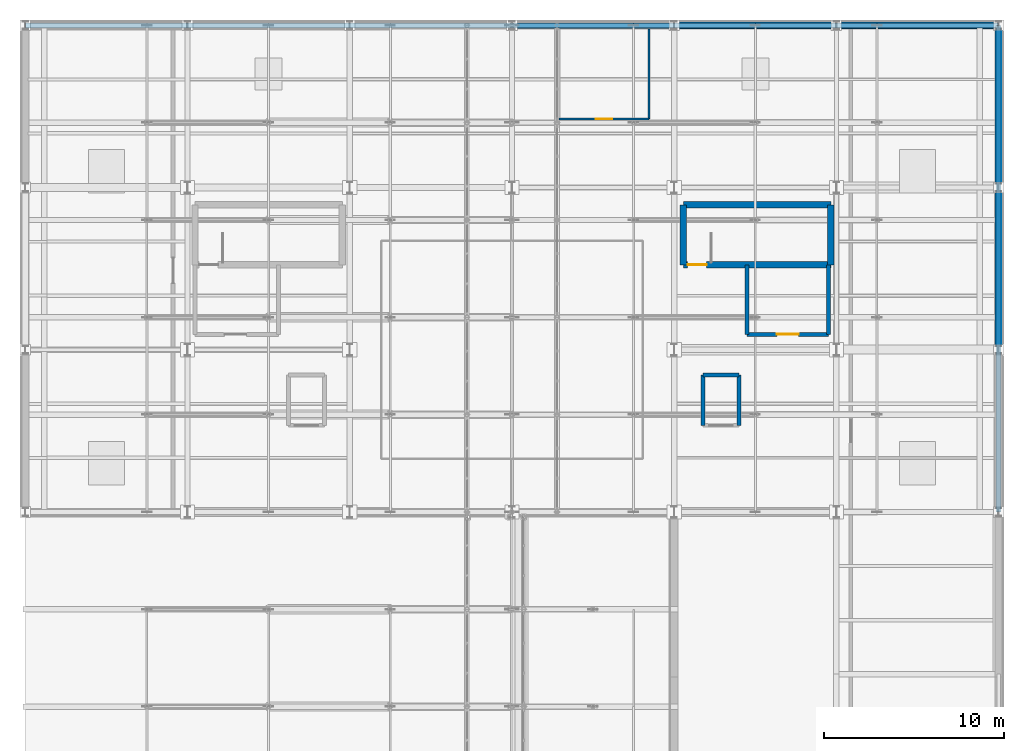
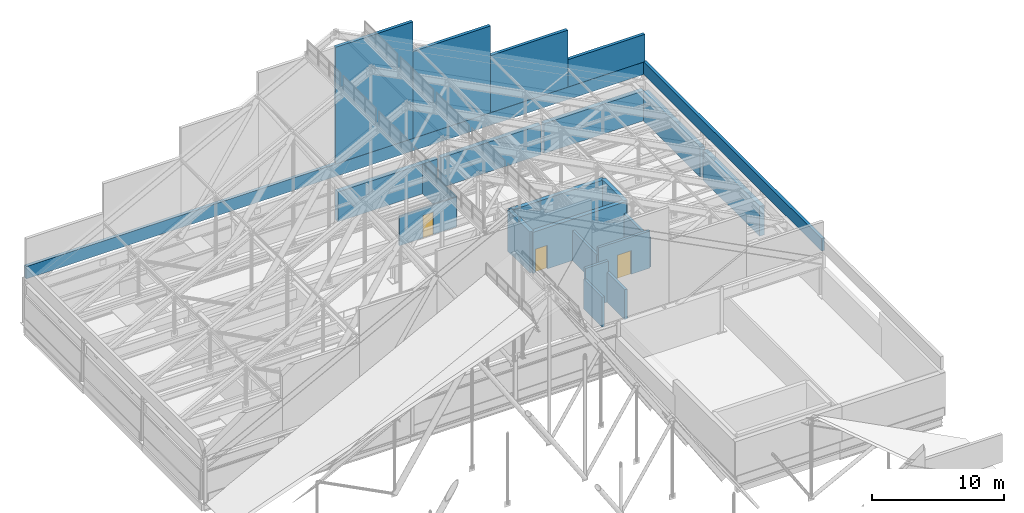
# One storey, part 83 of 84: 23 walls, 3 doors, 3 openings.
"""IFC4 building model written with IfcOpenShell, lengths in metres."""

from ifc_helpers import new_model, si_unit, direction, frame, frame_2d, origin, place, context, subcontext, project, spatial, rectangle, extrude, material, layer, layer_set, type_object, element, fill, save


model = new_model("IFC4")

# Units and contexts
model_context = context("Model", 3, precision=1e-05, world=origin(), true_north=direction((0.0, 1.0)))
body_context = subcontext(model_context, "Body", "Model", "MODEL_VIEW")
ifc_project = project(units=[si_unit("LENGTHUNIT", "METRE"), si_unit("AREAUNIT", "SQUARE_METRE"), si_unit("VOLUMEUNIT", "CUBIC_METRE"), si_unit("PLANEANGLEUNIT", "RADIAN"), si_unit("MASSUNIT", "GRAM", prefix="KILO")], contexts=[model_context])

# Site, building, storey
site_placement = place(None, origin())
site = spatial("IfcSite", under=ifc_project, at=site_placement, CompositionType="ELEMENT")
building_placement = place(site_placement, origin())
building = spatial("IfcBuilding", under=site, at=building_placement, Name="Sundgate Opera House", CompositionType="ELEMENT")
storey_placement = place(building_placement, frame((0.0, 0.0, 30.60009765625)))
storey = spatial("IfcBuildingStorey", under=building, at=storey_placement, Name="L06", CompositionType="ELEMENT", Elevation=30.60009765625)

# Wall, opening, door
ifc_material_1 = material(Name="Concrete C40/50", Category="concrete")
ifc_layer_1 = layer(ifc_material_1, 0.35009765625)
ifc_layer_set_1 = layer_set([ifc_layer_1], Name="Concrete C40/50")
wall_type_1 = type_object("IfcWallType", Name="WL-CORE-350", PredefinedType="SHEAR", material=ifc_layer_set_1)
wall_1_placement = place(storey_placement, frame((63.510009765625, 73.7099609375, 0.0), z_axis=(0.0, 0.0, 1.0), x_axis=(1.0, 0.0, 0.0)))
wall_1 = element("IfcWall", 1, at=wall_1_placement, inside=storey, type_object=wall_type_1, Name="L06 C4 South Shaft Wall", PredefinedType="SHEAR", context=body_context, shape_type="SweptSolid", body=[
    extrude(rectangle(XDim=8.179931640625, YDim=0.35009765625, at=frame_2d((4.08984375, 0.0))), origin(), (0.0, 0.0, 1.0), 3.7998046875),
])
opening_1_placement = place(wall_1_placement, frame((0.239990234375, 0.0, 0.0)))
opening_1 = element("IfcOpeningElement", 2, at=opening_1_placement, cuts=wall_1, Name="Opening DI01", PredefinedType="OPENING", context=body_context, shape_type="SweptSolid", body=[
    extrude(rectangle(XDim=1.050048828125, YDim=2.179931640625, at=frame_2d((0.52490234375, 1.08984375))), frame((0.0, 0.18505859375, 0.0), z_axis=(0.0, -1.0, 0.0), x_axis=(1.0, 0.0, 0.0)), (0.0, 0.0, 1.0), 0.3701171875),
])
ifc_material_2 = material(Name="Acoustic hardwood timber and steel core", Category="steel")
door_type_1 = type_object("IfcDoorType", Name="DR-STAIR-1050x2180", OperationType="NOTDEFINED", PredefinedType="DOOR", material=ifc_material_2)
door_1_placement = place(opening_1_placement, origin())
door_1 = element("IfcDoor", 3, at=door_1_placement, inside=storey, type_object=door_type_1, Name="L06 C4 Stair Door D0070", OperationType="SINGLE_SWING_RIGHT", OverallHeight=2.179931640625, OverallWidth=1.050048828125, PredefinedType="DOOR", context=body_context, shape_type="SweptSolid", body=[
    extrude(rectangle(XDim=1.050048828125, YDim=2.179931640625, at=frame_2d((0.52490234375, 1.08984375))), frame((0.0, 0.02490234375, 0.0), z_axis=(0.0, -1.0, 0.0), x_axis=(1.0, 0.0, 0.0)), (0.0, 0.0, 1.0), 0.050048828125),
])
fill(opening_1, door_1)

# Walls
wall_2_placement = place(storey_placement, frame((63.510009765625, 77.0400390625, 0.0), z_axis=(0.0, 0.0, 1.0), x_axis=(1.0, 0.0, 0.0)))
element("IfcWall", 4, at=wall_2_placement, inside=storey, type_object=wall_type_1, Name="L06 C4 North Shaft Wall", PredefinedType="SHEAR", context=body_context, shape_type="SweptSolid", body=[
    extrude(rectangle(XDim=8.179931640625, YDim=0.35009765625, at=frame_2d((4.08984375, 0.0))), origin(), (0.0, 0.0, 1.0), 3.7998046875),
])
for number, where, z_axis, x_axis, name in (
    (5, (63.510009765625, 73.7099609375, 0.0), (0.0, 0.0, 1.0), (0.0, 1.0, 0.0), "L06 C4 West Shaft Wall"),
    (6, (71.68994140625, 73.7099609375, 0.0), (0.0, 0.0, 1.0), (0.0, 1.0, 0.0), "L06 C4 East Shaft Wall"),
):
    element("IfcWall", number, at=place(storey_placement, frame(where, z_axis=z_axis, x_axis=x_axis)), inside=storey, type_object=wall_type_1, Name=name, PredefinedType="SHEAR", context=body_context, shape_type="SweptSolid", body=[
        extrude(rectangle(XDim=3.330078125, YDim=0.35009765625, at=frame_2d((1.6650390625, 0.0))), origin(), (0.0, 0.0, 1.0), 3.7998046875),
    ])
ifc_material_3 = material(Name="Vitrified stoneware trencadis and brick masonry", Category="masonry")
ifc_layer_2 = layer(ifc_material_3, 0.409912109375)
ifc_layer_set_2 = layer_set([ifc_layer_2], Name="Vitrified stoneware trencadis and brick masonry")
wall_type_2 = type_object("IfcWallType", Name="WL-EXT-TRENC-410", PredefinedType="SOLIDWALL", material=ifc_layer_set_2)
for number, where, z_axis, x_axis, name in (
    (7, (54.14501953125, 87.0, 0.0), (0.0, 0.0, 1.0), (1.0, 0.0, 0.0), "L06 Lifted Cube North Relief Wall W0151"),
    (8, (63.14501953125, 87.0, 0.0), (0.0, 0.0, 1.0), (1.0, 0.0, 0.0), "L06 Lifted Cube North Relief Wall W0152"),
    (9, (72.14501953125, 87.0, 0.0), (0.0, 0.0, 1.0), (1.0, 0.0, 0.0), "L06 Lifted Cube North Relief Wall W0153"),
):
    element("IfcWall", number, at=place(storey_placement, frame(where, z_axis=z_axis, x_axis=x_axis)), inside=storey, type_object=wall_type_2, Name=name, PredefinedType="SOLIDWALL", context=body_context, shape_type="SweptSolid", body=[
        extrude(rectangle(XDim=8.7099609375, YDim=0.409912109375, at=frame_2d((4.35498046875, 0.0))), origin(), (0.0, 0.0, 1.0), 2.7548828125),
    ])
for number, where, z_axis, x_axis, name in (
    (10, (81.0, 69.219970703125, 0.0), (0.0, 0.0, 1.0), (0.0, 1.0, 0.0), "L06 Lifted Cube East Relief Wall W0160"),
    (11, (81.0, 78.219970703125, 0.0), (0.0, 0.0, 1.0), (0.0, 1.0, 0.0), "L06 Lifted Cube East Relief Wall W0161"),
):
    element("IfcWall", number, at=place(storey_placement, frame(where, z_axis=z_axis, x_axis=x_axis)), inside=storey, type_object=wall_type_2, Name=name, PredefinedType="SOLIDWALL", context=body_context, shape_type="SweptSolid", body=[
        extrude(rectangle(XDim=8.56005859375, YDim=0.409912109375, at=frame_2d((4.280029296875, 0.0))), origin(), (0.0, 0.0, 1.0), 2.7548828125),
    ])

# Wall, opening, door
ifc_material_4 = material(Name="Fire-rated gypsum and mineral-wool shaft partition", Category="gypsum")
ifc_layer_3 = layer(ifc_material_4, 0.219970703125)
ifc_layer_set_3 = layer_set([ifc_layer_3], Name="Fire-rated gypsum and mineral-wool shaft partition")
wall_type_3 = type_object("IfcWallType", Name="WL-INT-FIRE-220", PredefinedType="PARTITIONING", material=ifc_layer_set_3)
wall_3_placement = place(storey_placement, frame((67.050048828125, 69.85009765625, 0.0), z_axis=(0.0, 0.0, 1.0), x_axis=(1.0, 0.0, 0.0)))
wall_3 = element("IfcWall", 12, at=wall_3_placement, inside=storey, type_object=wall_type_3, Name="L06 C4 Firefighting Lobby South Wall", PredefinedType="PARTITIONING", context=body_context, shape_type="SweptSolid", body=[
    extrude(rectangle(XDim=4.5, YDim=0.219970703125, at=frame_2d((2.25, 0.0))), origin(), (0.0, 0.0, 1.0), 3.434814453125),
])
opening_2_placement = place(wall_3_placement, frame((1.64990234375, 0.0, 0.0)))
opening_2 = element("IfcOpeningElement", 13, at=opening_2_placement, cuts=wall_3, Name="Opening DI02", PredefinedType="OPENING", context=body_context, shape_type="SweptSolid", body=[
    extrude(rectangle(XDim=1.199951171875, YDim=2.179931640625, at=frame_2d((0.60009765625, 1.08984375))), frame((0.0, 0.119873046875, 0.0), z_axis=(0.0, -1.0, 0.0), x_axis=(1.0, 0.0, 0.0)), (0.0, 0.0, 1.0), 0.239990234375),
])
ifc_material_5 = material(Name="Acoustic hardwood timber and steel core", Category="steel")
door_type_2 = type_object("IfcDoorType", Name="DR-FFLOB-1200x2180", OperationType="NOTDEFINED", PredefinedType="DOOR", material=ifc_material_5)
door_2_placement = place(opening_2_placement, origin())
door_2 = element("IfcDoor", 14, at=door_2_placement, inside=storey, type_object=door_type_2, Name="L06 C4 Firefighting Lobby Door D0071", OperationType="SINGLE_SWING_LEFT", OverallHeight=2.179931640625, OverallWidth=1.199951171875, PredefinedType="DOOR", context=body_context, shape_type="SweptSolid", body=[
    extrude(rectangle(XDim=1.199951171875, YDim=2.179931640625, at=frame_2d((0.60009765625, 1.08984375))), frame((0.0, 0.02490234375, 0.0), z_axis=(0.0, -1.0, 0.0), x_axis=(1.0, 0.0, 0.0)), (0.0, 0.0, 1.0), 0.050048828125),
])
fill(opening_2, door_2)

# Walls
for number, where, z_axis, x_axis, name in (
    (15, (67.050048828125, 69.85009765625, 0.0), (0.0, 0.0, 1.0), (0.0, 1.0, 0.0), "L06 C4 Firefighting Lobby West Wall"),
    (16, (71.550048828125, 69.85009765625, 0.0), (0.0, 0.0, 1.0), (0.0, 1.0, 0.0), "L06 C4 Firefighting Lobby East Wall"),
):
    element("IfcWall", number, at=place(storey_placement, frame(where, z_axis=z_axis, x_axis=x_axis)), inside=storey, type_object=wall_type_3, Name=name, PredefinedType="PARTITIONING", context=body_context, shape_type="SweptSolid", body=[
        extrude(rectangle(XDim=3.85986328125, YDim=0.219970703125, at=frame_2d((1.929931640625, 0.0))), origin(), (0.0, 0.0, 1.0), 2.7548828125),
    ])
wall_4_placement = place(storey_placement, frame((64.610107421875, 67.590087890625, 0.0), z_axis=(0.0, 0.0, 1.0), x_axis=(1.0, 0.0, 0.0)))
element("IfcWall", 17, at=wall_4_placement, inside=storey, type_object=wall_type_3, Name="L06 FF2 North Shaft Wall", PredefinedType="PARTITIONING", context=body_context, shape_type="SweptSolid", body=[
    extrude(rectangle(XDim=1.97998046875, YDim=0.219970703125, at=frame_2d((0.989990234375, 0.0))), origin(), (0.0, 0.0, 1.0), 3.764892578125),
])
for number, where, z_axis, x_axis, name in (
    (18, (64.610107421875, 64.81005859375, 0.0), (0.0, 0.0, 1.0), (0.0, 1.0, 0.0), "L06 FF2 West Shaft Wall"),
    (19, (66.590087890625, 64.81005859375, 0.0), (0.0, 0.0, 1.0), (0.0, 1.0, 0.0), "L06 FF2 East Shaft Wall"),
):
    element("IfcWall", number, at=place(storey_placement, frame(where, z_axis=z_axis, x_axis=x_axis)), inside=storey, type_object=wall_type_3, Name=name, PredefinedType="PARTITIONING", context=body_context, shape_type="SweptSolid", body=[
        extrude(rectangle(XDim=2.780029296875, YDim=0.219970703125, at=frame_2d((1.39013671875, 0.0))), origin(), (0.0, 0.0, 1.0), 2.7548828125),
    ])

# Wall, opening, door
ifc_material_6 = material(Name="Moisture-resistant sanitary partition", Category="gypsum")
ifc_layer_4 = layer(ifc_material_6, 0.114990234375)
ifc_layer_set_4 = layer_set([ifc_layer_4], Name="Moisture-resistant sanitary partition")
wall_type_4 = type_object("IfcWallType", Name="WL-INT-WET-115", PredefinedType="PARTITIONING", material=ifc_layer_set_4)
wall_5_placement = place(storey_placement, frame((56.60009765625, 81.800048828125, 0.0), z_axis=(0.0, 0.0, 1.0), x_axis=(1.0, 0.0, 0.0)))
wall_5 = element("IfcWall", 20, at=wall_5_placement, inside=storey, type_object=wall_type_4, Name="L06 Interior Partition W1098", PredefinedType="PARTITIONING", context=body_context, shape_type="SweptSolid", body=[
    extrude(rectangle(XDim=5.0, YDim=0.114990234375, at=frame_2d((2.5, 0.0))), origin(), (0.0, 0.0, 1.0), 2.7548828125),
])
opening_3_placement = place(wall_5_placement, frame((2.0400390625, 0.0, 0.0)))
opening_3 = element("IfcOpeningElement", 21, at=opening_3_placement, cuts=wall_5, Name="Opening DI12", PredefinedType="OPENING", context=body_context, shape_type="SweptSolid", body=[
    extrude(rectangle(XDim=0.919921875, YDim=2.080078125, at=frame_2d((0.4599609375, 1.0400390625))), frame((0.0, 0.0673828125, 0.0), z_axis=(0.0, -1.0, 0.0), x_axis=(1.0, 0.0, 0.0)), (0.0, 0.0, 1.0), 0.135009765625),
])
ifc_material_7 = material(Name="Acoustic hardwood timber and steel core", Category="steel")
door_type_3 = type_object("IfcDoorType", Name="DR-WC-920x2080", OperationType="NOTDEFINED", PredefinedType="DOOR", material=ifc_material_7)
door_3_placement = place(opening_3_placement, origin())
door_3 = element("IfcDoor", 22, at=door_3_placement, inside=storey, type_object=door_type_3, Name="L06 Interior Door D0246", OperationType="SINGLE_SWING_RIGHT", OverallHeight=2.080078125, OverallWidth=0.919921875, PredefinedType="DOOR", context=body_context, shape_type="SweptSolid", body=[
    extrude(rectangle(XDim=0.919921875, YDim=2.080078125, at=frame_2d((0.4599609375, 1.0400390625))), frame((0.0, 0.02490234375, 0.0), z_axis=(0.0, -1.0, 0.0), x_axis=(1.0, 0.0, 0.0)), (0.0, 0.0, 1.0), 0.050048828125),
])
fill(opening_3, door_3)

# Walls
wall_6_placement = place(storey_placement, frame((61.60009765625, 81.800048828125, 0.0), z_axis=(0.0, 0.0, 1.0), x_axis=(0.0, 1.0, 0.0)))
element("IfcWall", 23, at=wall_6_placement, inside=storey, type_object=wall_type_4, Name="L06 Interior Partition W1100", PredefinedType="PARTITIONING", context=body_context, shape_type="SweptSolid", body=[
    extrude(rectangle(XDim=5.0, YDim=0.114990234375, at=frame_2d((2.5, 0.0))), origin(), (0.0, 0.0, 1.0), 2.7548828125),
])
ifc_material_8 = material(Name="Komstad limestone ashlar masonry", Category="masonry")
ifc_layer_5 = layer(ifc_material_8, 0.27001953125)
ifc_layer_set_5 = layer_set([ifc_layer_5], Name="Komstad limestone ashlar masonry")
wall_type_5 = type_object("IfcWallType", Name="WL-PAR-LIME-270", PredefinedType="PARAPET", material=ifc_layer_set_5)
wall_7_placement = place(storey_placement, frame((54.0, 87.0, 5.35986328125), z_axis=(0.0, 0.0, 1.0), x_axis=(1.0, 0.0, 0.0)))
element("IfcWall", 24, at=wall_7_placement, inside=storey, type_object=wall_type_5, Name="L06 North Fly-Tower Gable Closure W0458", PredefinedType="PARAPET", context=body_context, shape_type="SweptSolid", body=[
    extrude(rectangle(XDim=6.75, YDim=0.27001953125, at=frame_2d((3.375, 0.0))), origin(), (0.0, 0.0, 1.0), 10.754150390625),
])
wall_8_placement = place(storey_placement, frame((60.75, 87.0, 5.35986328125), z_axis=(0.0, 0.0, 1.0), x_axis=(1.0, 0.0, 0.0)))
element("IfcWall", 25, at=wall_8_placement, inside=storey, type_object=wall_type_5, Name="L06 North Fly-Tower Gable Closure W0459", PredefinedType="PARAPET", context=body_context, shape_type="SweptSolid", body=[
    extrude(rectangle(XDim=6.75, YDim=0.27001953125, at=frame_2d((3.375, 0.0))), origin(), (0.0, 0.0, 1.0), 8.008056640625),
])
wall_9_placement = place(storey_placement, frame((67.5, 87.0, 5.35986328125), z_axis=(0.0, 0.0, 1.0), x_axis=(1.0, 0.0, 0.0)))
element("IfcWall", 26, at=wall_9_placement, inside=storey, type_object=wall_type_5, Name="L06 North Fly-Tower Gable Closure W0460", PredefinedType="PARAPET", context=body_context, shape_type="SweptSolid", body=[
    extrude(rectangle(XDim=6.75, YDim=0.27001953125, at=frame_2d((3.375, 0.0))), origin(), (0.0, 0.0, 1.0), 5.261962890625),
])
wall_10_placement = place(storey_placement, frame((74.25, 87.0, 5.35986328125), z_axis=(0.0, 0.0, 1.0), x_axis=(1.0, 0.0, 0.0)))
element("IfcWall", 27, at=wall_10_placement, inside=storey, type_object=wall_type_5, Name="L06 North Fly-Tower Gable Closure W0461", PredefinedType="PARAPET", context=body_context, shape_type="SweptSolid", body=[
    extrude(rectangle(XDim=6.75, YDim=0.27001953125, at=frame_2d((3.375, 0.0))), origin(), (0.0, 0.0, 1.0), 2.51708984375),
])
wall_11_placement = place(storey_placement, frame((27.0, 87.0, 4.199951171875), z_axis=(0.0, 0.0, 1.0), x_axis=(1.0, 0.0, 0.0)))
element("IfcWall", 28, at=wall_11_placement, inside=storey, type_object=wall_type_5, Name="L06 Roof Parapet W0462", PredefinedType="PARAPET", context=body_context, shape_type="SweptSolid", body=[
    extrude(rectangle(XDim=54.0, YDim=0.27001953125, at=frame_2d((27.0, 0.0))), origin(), (0.0, 0.0, 1.0), 1.14990234375),
])
wall_12_placement = place(storey_placement, frame((81.0, 60.0, 4.199951171875), z_axis=(0.0, 0.0, 1.0), x_axis=(0.0, 1.0, 0.0)))
element("IfcWall", 29, at=wall_12_placement, inside=storey, type_object=wall_type_5, Name="L06 Roof Parapet W0464", PredefinedType="PARAPET", context=body_context, shape_type="SweptSolid", body=[
    extrude(rectangle(XDim=27.0, YDim=0.27001953125, at=frame_2d((13.5, 0.0))), origin(), (0.0, 0.0, 1.0), 1.14990234375),
])

save(model, "model.ifc")
